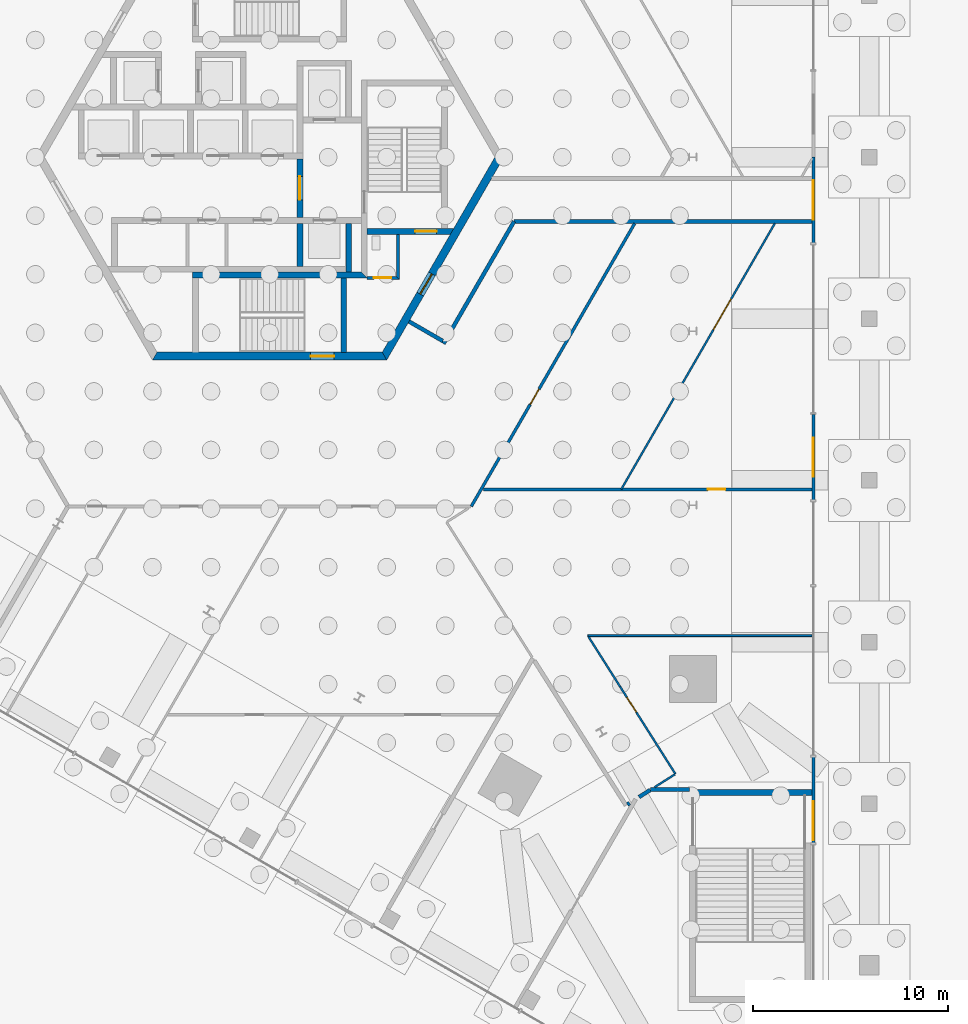
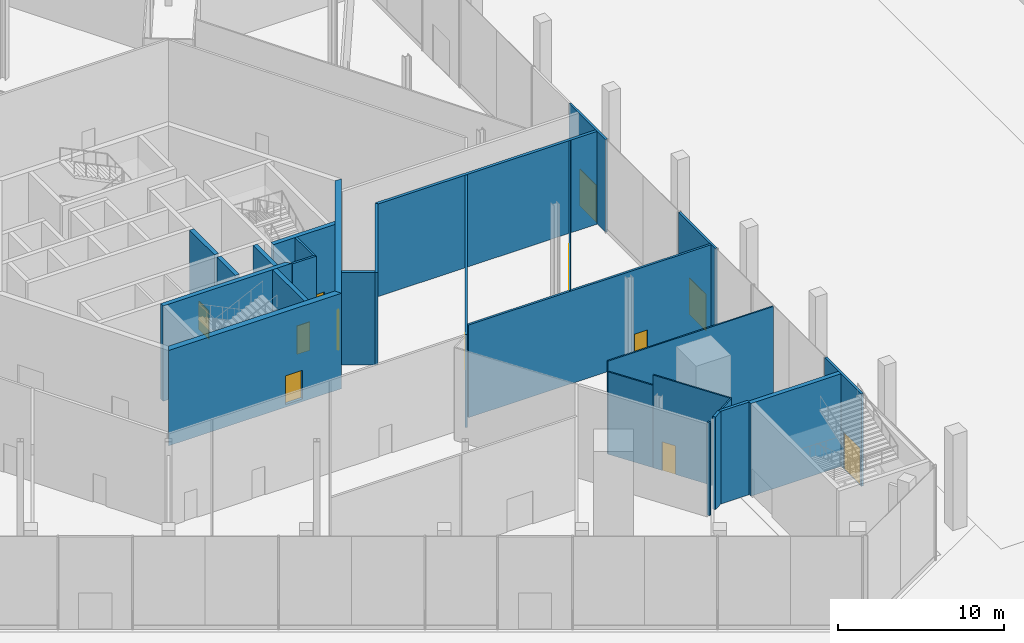
# One storey, part 19 of 27: 27 walls, 12 doors, 12 openings.
"""IFC4 building model written with IfcOpenShell, lengths in metres."""

from ifc_helpers import new_model, si_unit, direction, frame, frame_2d, origin, place, context, subcontext, project, spatial, polyline, rectangle, outline, extrude, source, transform, mapped, material, layer, layer_set, type_object, element, fill, save


model = new_model("IFC4")

# Units and contexts
model_context = context("Model", 3, precision=1e-05, world=origin(), true_north=direction((0.0, 1.0)))
body_context = subcontext(model_context, "Body", "Model", "MODEL_VIEW")
ifc_project = project(units=[si_unit("LENGTHUNIT", "METRE"), si_unit("AREAUNIT", "SQUARE_METRE"), si_unit("VOLUMEUNIT", "CUBIC_METRE"), si_unit("PLANEANGLEUNIT", "RADIAN"), si_unit("MASSUNIT", "GRAM", prefix="KILO")], contexts=[model_context])

# Site, building, storey
site_placement = place(None, origin())
site = spatial("IfcSite", under=ifc_project, at=site_placement, CompositionType="ELEMENT")
building_placement = place(site_placement, origin())
building = spatial("IfcBuilding", under=site, at=building_placement, Name="Triune Harvest Tower", CompositionType="ELEMENT")
storey_placement = place(building_placement, origin())
storey = spatial("IfcBuildingStorey", under=building, at=storey_placement, Name="L00", CompositionType="ELEMENT", Elevation=0.0)

# Wall, opening, door
ifc_material_1 = material(Name="Concrete masonry unit", Category="masonry")
ifc_layer_1 = layer(ifc_material_1, 0.14990234375)
ifc_layer_set_1 = layer_set([ifc_layer_1], Name="Concrete masonry unit")
wall_type_1 = type_object("IfcWallType", Name="Block partition 150 unrated", PredefinedType="PARTITIONING", material=ifc_layer_set_1)
wall_1_placement = place(storey_placement, frame((5.0, -6.18994140625, 0.0), z_axis=(0.0, 0.0, 1.0), x_axis=(1.0, 0.0, 0.0)))
wall_1 = element("IfcWall", 1, at=wall_1_placement, inside=storey, type_object=wall_type_1, Name="Wc acc south wall", PredefinedType="PARTITIONING", context=body_context, shape_type="SweptSolid", body=[
    extrude(outline(polyline([(0.0, -0.074951171875), (1.64990234375, -0.074951171875), (1.5, 0.074951171875), (0.0, 0.074951171875), (0.0, -0.074951171875)])), origin(), (0.0, 0.0, 1.0), 6.800048828125),
])
opening_1_placement = place(wall_1_placement, frame((0.33740234375, 0.0, 0.0)))
opening_1 = element("IfcOpeningElement", 2, at=opening_1_placement, cuts=wall_1, Name="Opening CD-WA", PredefinedType="OPENING", context=body_context, shape_type="SweptSolid", body=[
    extrude(rectangle(XDim=0.89990234375, YDim=2.10009765625, at=frame_2d((0.449951171875, 1.050048828125))), frame((0.0, 0.0849609375, 0.0), z_axis=(0.0, -1.0, 0.0), x_axis=(1.0, 0.0, 0.0)), (0.0, 0.0, 1.0), 0.169921875),
])
ifc_material_2 = material(Name="Timber C24", Category="wood")
door_type_1 = type_object("IfcDoorType", Name="WC door 900", OperationType="SINGLE_SWING_LEFT", PredefinedType="DOOR", material=ifc_material_2)
door_1_placement = place(opening_1_placement, origin())
door_1 = element("IfcDoor", 3, at=door_1_placement, inside=storey, type_object=door_type_1, Name="Door CD-WA", OperationType="SINGLE_SWING_LEFT", OverallHeight=2.10009765625, OverallWidth=0.89990234375, PredefinedType="DOOR", context=body_context, shape_type="SweptSolid", body=[
    extrude(rectangle(XDim=0.89990234375, YDim=2.10009765625, at=frame_2d((0.449951171875, 1.050048828125))), frame((0.0, 0.02490234375, 0.0), z_axis=(0.0, -1.0, 0.0), x_axis=(1.0, 0.0, 0.0)), (0.0, 0.0, 1.0), 0.050048828125),
])
fill(opening_1, door_1)

# Wall
wall_2_placement = place(storey_placement, frame((6.574951171875, -6.18994140625, 0.0), z_axis=(0.0, 0.0, 1.0), x_axis=(0.0, 1.0, 0.0)))
element("IfcWall", 4, at=wall_2_placement, inside=storey, type_object=wall_type_1, Name="Wc acc east wall", PredefinedType="PARTITIONING", context=body_context, shape_type="SweptSolid", body=[
    extrude(outline(polyline([(-0.074951171875, -0.074951171875), (2.239990234375, -0.074951171875), (2.239990234375, 0.074951171875), (0.074951171875, 0.074951171875), (-0.074951171875, -0.074951171875)])), origin(), (0.0, 0.0, 1.0), 6.800048828125),
])

# Wall, opening, door
ifc_material_3 = material(Name="Concrete 70 MPa", Category="concrete")
ifc_layer_2 = layer(ifc_material_3, 0.300048828125)
ifc_layer_set_2 = layer_set([ifc_layer_2], Name="Concrete 70 MPa")
wall_type_2 = type_object("IfcWallType", Name="Core wall 300", PredefinedType="SHEAR", material=ifc_layer_set_2)
wall_3_placement = place(storey_placement, frame((5.0, -3.800048828125, -0.199951171875), z_axis=(0.0, 0.0, 1.0), x_axis=(1.0, 0.0, 0.0)))
wall_3 = element("IfcWall", 5, at=wall_3_placement, inside=storey, type_object=wall_type_2, Name="Stair e south wall", PredefinedType="SHEAR", context=body_context, shape_type="SweptSolid", body=[
    extrude(outline(polyline([(0.0, -0.14990234375), (0.0, 0.14990234375), (4.43310546875, 0.14990234375), (4.260009765625, -0.14990234375), (0.0, -0.14990234375)])), origin(), (0.0, 0.0, 1.0), 7.0),
])
opening_2_placement = place(wall_3_placement, frame((2.449951171875, 0.0, 0.199951171875)))
opening_2 = element("IfcOpeningElement", 6, at=opening_2_placement, cuts=wall_3, Name="Opening CD-S3D", PredefinedType="OPENING", context=body_context, shape_type="SweptSolid", body=[
    extrude(rectangle(XDim=1.10009765625, YDim=2.10009765625, at=frame_2d((0.550048828125, 1.050048828125))), frame((0.0, 0.16015625, 0.0), z_axis=(0.0, -1.0, 0.0), x_axis=(1.0, 0.0, 0.0)), (0.0, 0.0, 1.0), 0.320068359375),
])
ifc_material_4 = material(Name="Steel S235", Category="steel")
door_type_2 = type_object("IfcDoorType", Name="Stair door 1100 FD120", OperationType="SINGLE_SWING_LEFT", PredefinedType="DOOR", material=ifc_material_4)
door_2_placement = place(opening_2_placement, frame((1.10009765625, 0.0, 0.0), z_axis=(0.0, 0.0, 1.0), x_axis=(-1.0, 0.0, 0.0)))
door_2 = element("IfcDoor", 7, at=door_2_placement, inside=storey, type_object=door_type_2, Name="Door CD-S3D", OperationType="SINGLE_SWING_RIGHT", OverallHeight=2.10009765625, OverallWidth=1.10009765625, PredefinedType="DOOR", context=body_context, shape_type="SweptSolid", body=[
    extrude(rectangle(XDim=1.10009765625, YDim=2.10009765625, at=frame_2d((0.550048828125, 1.050048828125))), frame((0.0, 0.02490234375, 0.0), z_axis=(0.0, -1.0, 0.0), x_axis=(1.0, 0.0, 0.0)), (0.0, 0.0, 1.0), 0.050048828125),
])
fill(opening_2, door_2)

# Wall
wall_4_placement = place(storey_placement, frame((-3.949951171875, -6.0400390625, -0.199951171875), z_axis=(0.0, 0.0, 1.0), x_axis=(1.0, 0.0, 0.0)))
element("IfcWall", 8, at=wall_4_placement, inside=storey, type_object=wall_type_2, Name="Stair s north wall", PredefinedType="SHEAR", context=body_context, shape_type="SweptSolid", body=[
    extrude(outline(polyline([(0.0, -0.14990234375), (8.949951171875, -0.14990234375), (8.64990234375, 0.14990234375), (0.0, 0.14990234375), (0.0, -0.14990234375)])), origin(), (0.0, 0.0, 1.0), 7.0),
])

# Wall, opening, door
ifc_material_5 = material(Name="Gypsum board on steel studs", Category="steel")
ifc_layer_3 = layer(ifc_material_5, 0.14990234375)
ifc_layer_set_3 = layer_set([ifc_layer_3], Name="Gypsum board on steel studs")
wall_type_3 = type_object("IfcWallType", Name="Fire Partition 150 mm", PredefinedType="PARTITIONING", material=ifc_layer_set_3)
wall_5_placement = place(storey_placement, frame((10.94482421875, -17.01806640625, 0.0), z_axis=(0.0, 0.0, 1.0), x_axis=(1.0, 0.0, 0.0)))
wall_5 = element("IfcWall", 9, at=wall_5_placement, inside=storey, type_object=wall_type_3, Name="Partition L00 029", PredefinedType="PARTITIONING", context=body_context, shape_type="SweptSolid", body=[
    extrude(rectangle(XDim=16.83447265625, YDim=0.14990234375, at=frame_2d((8.417236328125, 0.0))), origin(), (0.0, 0.0, 1.0), 6.800048828125),
])
opening_3_placement = place(wall_5_placement, frame((11.506103515625, 0.0, 0.0)))
opening_3 = element("IfcOpeningElement", 10, at=opening_3_placement, cuts=wall_5, Name="Opening L00-004", PredefinedType="OPENING", context=body_context, shape_type="SweptSolid", body=[
    extrude(rectangle(XDim=0.89990234375, YDim=2.10009765625, at=frame_2d((0.449951171875, 1.050048828125))), frame((0.0, 0.0849609375, 0.0), z_axis=(0.0, -1.0, 0.0), x_axis=(1.0, 0.0, 0.0)), (0.0, 0.0, 1.0), 0.169921875),
])
ifc_material_6 = material(Name="Timber and steel door set", Category="steel")
door_type_3 = type_object("IfcDoorType", Name="Single leaf door FD30 left hand 900 x 2100", OperationType="SINGLE_SWING_LEFT", PredefinedType="DOOR", material=ifc_material_6)
door_3_placement = place(opening_3_placement, origin())
door_3 = element("IfcDoor", 11, at=door_3_placement, inside=storey, type_object=door_type_3, Name="Door L00-004 Dry Store Room 00.04", OperationType="SINGLE_SWING_LEFT", OverallHeight=2.10009765625, OverallWidth=0.89990234375, PredefinedType="DOOR", context=body_context, shape_type="SweptSolid", body=[
    extrude(rectangle(XDim=0.89990234375, YDim=2.10009765625, at=frame_2d((0.449951171875, 1.050048828125))), frame((0.0, 0.02490234375, 0.0), z_axis=(0.0, -1.0, 0.0), x_axis=(1.0, 0.0, 0.0)), (0.0, 0.0, 1.0), 0.050048828125),
])
fill(opening_3, door_3)

wall_6_placement = place(storey_placement, frame((10.3310546875, -17.890625, 0.0), z_axis=(0.0, 0.0, 1.0), x_axis=(0.499988868439, 0.866031830499, 0.0)))
wall_6 = element("IfcWall", 12, at=wall_6_placement, inside=storey, type_object=wall_type_3, Name="Partition L00 054", PredefinedType="PARTITIONING", context=body_context, shape_type="SweptSolid", body=[
    extrude(rectangle(XDim=16.73779296875, YDim=0.14990234375, at=frame_2d((8.368896484375, 0.0))), origin(), (0.0, 0.0, 1.0), 6.800048828125),
])
opening_4_placement = place(wall_6_placement, frame((6.04052734375, 0.0, 0.0)))
opening_4 = element("IfcOpeningElement", 13, at=opening_4_placement, cuts=wall_6, Name="Opening L00-003", PredefinedType="OPENING", context=body_context, shape_type="SweptSolid", body=[
    extrude(rectangle(XDim=0.89990234375, YDim=2.10009765625, at=frame_2d((0.449951171875, 1.050048828125))), frame((0.0, 0.0849609375, 0.0), z_axis=(0.0, -1.0, 0.0), x_axis=(1.0, 0.0, 0.0)), (0.0, 0.0, 1.0), 0.169921875),
])
ifc_material_7 = material(Name="Timber and steel door set", Category="steel")
door_type_4 = type_object("IfcDoorType", Name="Single leaf door FD30 right hand 900 x 2100", OperationType="SINGLE_SWING_RIGHT", PredefinedType="DOOR", material=ifc_material_7)
door_4_placement = place(opening_4_placement, origin())
door_4 = element("IfcDoor", 14, at=door_4_placement, inside=storey, type_object=door_type_4, Name="Door L00-003 Dry Store Room 00.03", OperationType="SINGLE_SWING_RIGHT", OverallHeight=2.10009765625, OverallWidth=0.89990234375, PredefinedType="DOOR", context=body_context, shape_type="SweptSolid", body=[
    extrude(rectangle(XDim=0.89990234375, YDim=2.10009765625, at=frame_2d((0.449951171875, 1.050048828125))), frame((0.0, 0.02490234375, 0.0), z_axis=(0.0, -1.0, 0.0), x_axis=(1.0, 0.0, 0.0)), (0.0, 0.0, 1.0), 0.050048828125),
])
fill(opening_4, door_4)

# Walls
ifc_material_8 = material(Name="Gypsum board on steel studs", Category="steel")
ifc_layer_4 = layer(ifc_material_8, 0.199951171875)
ifc_layer_set_4 = layer_set([ifc_layer_4], Name="Gypsum board on steel studs")
wall_type_4 = type_object("IfcWallType", Name="Fire Wall 200 mm", PredefinedType="PARTITIONING", material=ifc_layer_set_4)
wall_7_placement = place(storey_placement, frame((18.32080078125, -33.159912109375, 0.0), z_axis=(0.0, 0.0, 1.0), x_axis=(0.844314084278, 0.535848604636, 0.0)))
element("IfcWall", 15, at=wall_7_placement, inside=storey, type_object=wall_type_4, Name="Partition L00 042", PredefinedType="PARTITIONING", context=body_context, shape_type="SweptSolid", body=[
    extrude(rectangle(XDim=0.138427734375, YDim=0.199951171875, at=frame_2d((0.0693359375, 0.0))), origin(), (0.0, 0.0, 1.0), 6.800048828125),
])
wall_8_placement = place(storey_placement, frame((18.92333984375, -32.77783203125, 0.0), z_axis=(0.0, 0.0, 1.0), x_axis=(0.844835415955, 0.53502627968, 0.0)))
element("IfcWall", 16, at=wall_8_placement, inside=storey, type_object=wall_type_4, Name="Partition L00 043", PredefinedType="PARTITIONING", context=body_context, shape_type="SweptSolid", body=[
    extrude(rectangle(XDim=0.67529296875, YDim=0.199951171875, at=frame_2d((0.337646484375, 0.0))), origin(), (0.0, 0.0, 1.0), 6.800048828125),
])
wall_9_placement = place(storey_placement, frame((8.90869140625, -9.554443359375, 0.0), z_axis=(0.0, 0.0, 1.0), x_axis=(0.499986601258, 0.866033139413, 0.0)))
element("IfcWall", 17, at=wall_9_placement, inside=storey, type_object=wall_type_4, Name="Partition L00 070", PredefinedType="PARTITIONING", context=body_context, shape_type="SweptSolid", body=[
    extrude(rectangle(XDim=7.227294921875, YDim=0.199951171875, at=frame_2d((3.61376953125, 0.0))), origin(), (0.0, 0.0, 1.0), 6.800048828125),
])
wall_10_placement = place(storey_placement, frame((12.522216796875, -3.29541015625, 0.0), z_axis=(0.0, 0.0, 1.0), x_axis=(1.0, 0.0, 0.0)))
element("IfcWall", 18, at=wall_10_placement, inside=storey, type_object=wall_type_4, Name="Partition L00 071", PredefinedType="PARTITIONING", context=body_context, shape_type="SweptSolid", body=[
    extrude(rectangle(XDim=15.2578125, YDim=0.199951171875, at=frame_2d((7.62890625, 0.0))), origin(), (0.0, 0.0, 1.0), 6.800048828125),
])
ifc_material_9 = material(Name="Gypsum board on steel studs", Category="steel")
ifc_layer_5 = layer(ifc_material_9, 0.10009765625)
ifc_layer_set_5 = layer_set([ifc_layer_5], Name="Gypsum board on steel studs")
wall_type_5 = type_object("IfcWallType", Name="Partition 100 mm", PredefinedType="PARTITIONING", material=ifc_layer_set_5)
wall_11_placement = place(storey_placement, frame((16.335205078125, -24.569091796875, 0.0), z_axis=(0.0, 0.0, 1.0), x_axis=(0.535176544108, -0.844740236189, 0.0)))
element("IfcWall", 19, at=wall_11_placement, inside=storey, type_object=wall_type_5, Name="Partition L00 020", PredefinedType="PARTITIONING", context=body_context, shape_type="SweptSolid", body=[
    extrude(rectangle(XDim=3.033203125, YDim=0.10009765625, at=frame_2d((1.5166015625, 0.0))), origin(), (0.0, 0.0, 1.0), 6.04296875),
])

# Wall, opening, door
wall_12_placement = place(storey_placement, frame((17.95849609375, -27.13134765625, 0.0), z_axis=(0.0, 0.0, 1.0), x_axis=(0.535066364246, -0.844810029446, 0.0)))
wall_12 = element("IfcWall", 20, at=wall_12_placement, inside=storey, type_object=wall_type_5, Name="Partition L00 020a", PredefinedType="PARTITIONING", context=body_context, shape_type="SweptSolid", body=[
    extrude(rectangle(XDim=5.286376953125, YDim=0.10009765625, at=frame_2d((2.64306640625, 0.0))), origin(), (0.0, 0.0, 1.0), 6.800048828125),
])
opening_5_placement = place(wall_12_placement, frame((0.636474609375, 0.0, 0.0)))
opening_5 = element("IfcOpeningElement", 21, at=opening_5_placement, cuts=wall_12, Name="Opening L00-001", PredefinedType="OPENING", context=body_context, shape_type="SweptSolid", body=[
    extrude(rectangle(XDim=0.89990234375, YDim=2.10009765625, at=frame_2d((0.449951171875, 1.050048828125))), frame((0.0, 0.06005859375, 0.0), z_axis=(0.0, -1.0, 0.0), x_axis=(1.0, 0.0, 0.0)), (0.0, 0.0, 1.0), 0.1201171875),
])
ifc_material_10 = material(Name="Timber and steel door set", Category="steel")
door_type_5 = type_object("IfcDoorType", Name="Single leaf door left hand 900 x 2100", OperationType="SINGLE_SWING_LEFT", PredefinedType="DOOR", material=ifc_material_10)
door_5_placement = place(opening_5_placement, origin())
door_5 = element("IfcDoor", 22, at=door_5_placement, inside=storey, type_object=door_type_5, Name="Door L00-001 Dry Store Room 00.01", OperationType="SINGLE_SWING_LEFT", OverallHeight=2.10009765625, OverallWidth=0.89990234375, PredefinedType="DOOR", context=body_context, shape_type="SweptSolid", body=[
    extrude(rectangle(XDim=0.89990234375, YDim=2.10009765625, at=frame_2d((0.449951171875, 1.050048828125))), frame((0.0, 0.02490234375, 0.0), z_axis=(0.0, -1.0, 0.0), x_axis=(1.0, 0.0, 0.0)), (0.0, 0.0, 1.0), 0.050048828125),
])
fill(opening_5, door_5)

# Walls
wall_13_placement = place(storey_placement, frame((16.2978515625, -24.510009765625, 0.0), z_axis=(0.0, 0.0, 1.0), x_axis=(1.0, 0.0, 0.0)))
element("IfcWall", 23, at=wall_13_placement, inside=storey, type_object=wall_type_5, Name="Partition L00 027", PredefinedType="PARTITIONING", context=body_context, shape_type="SweptSolid", body=[
    extrude(rectangle(XDim=11.4814453125, YDim=0.10009765625, at=frame_2d((5.74072265625, 0.0))), origin(), (0.0, 0.0, 1.0), 6.800048828125),
])
wall_14_placement = place(storey_placement, frame((19.71484375, -32.276611328125, 0.0), z_axis=(0.0, 0.0, 1.0), x_axis=(0.844730057631, 0.53519260994, 0.0)))
element("IfcWall", 24, at=wall_14_placement, inside=storey, type_object=wall_type_5, Name="Partition L00 044", PredefinedType="PARTITIONING", context=body_context, shape_type="SweptSolid", body=[
    extrude(rectangle(XDim=1.239990234375, YDim=0.10009765625, at=frame_2d((0.6201171875, 0.0))), origin(), (0.0, 0.0, 1.0), 6.800048828125),
])

# Wall, opening, door
wall_15_placement = place(storey_placement, frame((18.0107421875, -17.01806640625, 0.0), z_axis=(0.0, 0.0, 1.0), x_axis=(0.500016672517, 0.866015777688, 0.0)))
wall_15 = element("IfcWall", 25, at=wall_15_placement, inside=storey, type_object=wall_type_5, Name="Partition L00 053", PredefinedType="PARTITIONING", context=body_context, shape_type="SweptSolid", body=[
    extrude(rectangle(XDim=15.73046875, YDim=0.10009765625, at=frame_2d((7.865234375, 0.0))), origin(), (0.0, 0.0, 1.0), 6.800048828125),
])
opening_6_placement = place(wall_15_placement, frame((9.449951171875, 0.0, 0.0)))
opening_6 = element("IfcOpeningElement", 26, at=opening_6_placement, cuts=wall_15, Name="Opening L00-002", PredefinedType="OPENING", context=body_context, shape_type="SweptSolid", body=[
    extrude(rectangle(XDim=1.800048828125, YDim=2.39990234375, at=frame_2d((0.89990234375, 1.199951171875))), frame((0.0, 0.06005859375, 0.0), z_axis=(0.0, -1.0, 0.0), x_axis=(1.0, 0.0, 0.0)), (0.0, 0.0, 1.0), 0.1201171875),
])
ifc_material_11 = material(Name="Timber and steel door set", Category="steel")
door_type_6 = type_object("IfcDoorType", Name="Double leaf door 1800 x 2400", OperationType="DOUBLE_DOOR_SINGLE_SWING", PredefinedType="DOOR", material=ifc_material_11)
door_6_placement = place(opening_6_placement, origin())
door_6 = element("IfcDoor", 27, at=door_6_placement, inside=storey, type_object=door_type_6, Name="Door L00-002 Food Hall 00.02", OperationType="DOUBLE_DOOR_SINGLE_SWING", OverallHeight=2.39990234375, OverallWidth=1.800048828125, PredefinedType="DOOR", context=body_context, shape_type="SweptSolid", body=[
    extrude(rectangle(XDim=1.800048828125, YDim=2.39990234375, at=frame_2d((0.89990234375, 1.199951171875))), frame((0.0, 0.02490234375, 0.0), z_axis=(0.0, -1.0, 0.0), x_axis=(1.0, 0.0, 0.0)), (0.0, 0.0, 1.0), 0.050048828125),
])
fill(opening_6, door_6)

ifc_material_12 = material(Name="Concrete 70 MPa", Category="concrete")
ifc_layer_6 = layer(ifc_material_12, 0.39990234375)
ifc_layer_set_6 = layer_set([ifc_layer_6], Name="Concrete 70 MPa")
wall_type_6 = type_object("IfcWallType", Name="Core wall 400", PredefinedType="SHEAR", material=ifc_layer_set_6)
shared_shape_1 = source(origin(), body_context, "Body", "SweptSolid", [
    extrude(outline(polyline([(-0.115478515625, -0.199951171875), (11.884521484375, -0.199951171875), (11.653564453125, 0.199951171875), (0.115478515625, 0.199951171875), (-0.115478515625, -0.199951171875)])), origin(), (0.0, 0.0, 1.0), 7.0),
])
wall_16_placement = place(storey_placement, frame((-5.884521484375, -10.1923828125, -0.199951171875), z_axis=(0.0, 0.0, 1.0), x_axis=(1.0, 0.0, 0.0)))
wall_16 = element("IfcWall", 28, at=wall_16_placement, inside=storey, type_object=wall_type_6, Name="Hexagon 4 wall", PredefinedType="SHEAR", context=body_context, shape_type="MappedRepresentation", body=[
    mapped(shared_shape_1, transform((0.0, 0.0, 0.0), scale=1.0)),
])
opening_7_placement = place(wall_16_placement, frame((7.984619140625, 0.0, 0.199951171875)))
opening_7 = element("IfcOpeningElement", 29, at=opening_7_placement, cuts=wall_16, Name="Opening CD-S2P", PredefinedType="OPENING", context=body_context, shape_type="SweptSolid", body=[
    extrude(rectangle(XDim=1.199951171875, YDim=2.10009765625, at=frame_2d((0.60009765625, 1.050048828125))), frame((0.0, 0.2099609375, 0.0), z_axis=(0.0, -1.0, 0.0), x_axis=(1.0, 0.0, 0.0)), (0.0, 0.0, 1.0), 0.419921875),
])
ifc_material_13 = material(Name="Steel S235", Category="steel")
door_type_7 = type_object("IfcDoorType", Name="Stair door 1200 FD120", OperationType="SINGLE_SWING_LEFT", PredefinedType="DOOR", material=ifc_material_13)
door_7_placement = place(opening_7_placement, frame((1.199951171875, 0.0, 0.0), z_axis=(0.0, 0.0, 1.0), x_axis=(-1.0, 0.0, 0.0)))
door_7 = element("IfcDoor", 30, at=door_7_placement, inside=storey, type_object=door_type_7, Name="Door CD-S2P", OperationType="SINGLE_SWING_RIGHT", OverallHeight=2.10009765625, OverallWidth=1.199951171875, PredefinedType="DOOR", context=body_context, shape_type="SweptSolid", body=[
    extrude(rectangle(XDim=1.199951171875, YDim=2.10009765625, at=frame_2d((0.60009765625, 1.050048828125))), frame((0.0, 0.02490234375, 0.0), z_axis=(0.0, -1.0, 0.0), x_axis=(1.0, 0.0, 0.0)), (0.0, 0.0, 1.0), 0.050048828125),
])
fill(opening_7, door_7)

wall_17_placement = place(storey_placement, frame((5.884521484375, -10.1923828125, -0.199951171875), z_axis=(0.0, 0.0, 1.0), x_axis=(0.499996592174, 0.866027371285, 0.0)))
wall_17 = element("IfcWall", 31, at=wall_17_placement, inside=storey, type_object=wall_type_6, Name="Hexagon 5 wall", PredefinedType="SHEAR", context=body_context, shape_type="MappedRepresentation", body=[
    mapped(shared_shape_1, transform((0.0, 0.0, 0.0), scale=1.0)),
])
opening_8_placement = place(wall_17_placement, frame((3.66455078125, 0.0, 0.199951171875)))
opening_8 = element("IfcOpeningElement", 32, at=opening_8_placement, cuts=wall_17, Name="Opening CD-DP", PredefinedType="OPENING", context=body_context, shape_type="SweptSolid", body=[
    extrude(rectangle(XDim=1.199951171875, YDim=2.10009765625, at=frame_2d((0.60009765625, 1.050048828125))), frame((0.0, 0.2099609375, 0.0), z_axis=(0.0, -1.0, 0.0), x_axis=(1.0, 0.0, 0.0)), (0.0, 0.0, 1.0), 0.419921875),
])
door_8_placement = place(opening_8_placement, frame((1.199951171875, 0.0, 0.0), z_axis=(0.0, 0.0, 1.0), x_axis=(-1.0, 0.0, 0.0)))
door_8 = element("IfcDoor", 33, at=door_8_placement, inside=storey, type_object=door_type_7, Name="Door CD-DP", OperationType="SINGLE_SWING_RIGHT", OverallHeight=2.10009765625, OverallWidth=1.199951171875, PredefinedType="DOOR", context=body_context, shape_type="SweptSolid", body=[
    extrude(rectangle(XDim=1.199951171875, YDim=2.10009765625, at=frame_2d((0.60009765625, 1.050048828125))), frame((0.0, 0.02490234375, 0.0), z_axis=(0.0, -1.0, 0.0), x_axis=(1.0, 0.0, 0.0)), (0.0, 0.0, 1.0), 0.050048828125),
])
fill(opening_8, door_8)

# Wall
shared_shape_2 = source(origin(), body_context, "Body", "SweptSolid", [
    extrude(rectangle(XDim=2.5, YDim=0.300048828125, at=frame_2d((1.25, 0.0))), origin(), (0.0, 0.0, 1.0), 7.0),
])
wall_18_placement = place(storey_placement, frame((4.050048828125, -5.889892578125, -0.199951171875), z_axis=(0.0, 0.0, 1.0), x_axis=(0.0, 1.0, 0.0)))
element("IfcWall", 34, at=wall_18_placement, inside=storey, type_object=wall_type_2, Name="Ff2 east wall", PredefinedType="SHEAR", context=body_context, shape_type="MappedRepresentation", body=[
    mapped(shared_shape_2, transform((0.0, 0.0, 0.0), scale=1.0)),
])

# Wall, opening, door
shared_shape_3 = source(origin(), body_context, "Body", "SweptSolid", [
    extrude(rectangle(XDim=3.0, YDim=0.300048828125, at=frame_2d((1.5, 0.0))), origin(), (0.0, 0.0, 1.0), 7.0),
])
wall_19_placement = place(storey_placement, frame((1.550048828125, -3.090087890625, -0.199951171875), z_axis=(0.0, 0.0, 1.0), x_axis=(0.0, 1.0, 0.0)))
wall_19 = element("IfcWall", 35, at=wall_19_placement, inside=storey, type_object=wall_type_2, Name="Ff lobby west wall", PredefinedType="SHEAR", context=body_context, shape_type="MappedRepresentation", body=[
    mapped(shared_shape_3, transform((0.0, 0.0, 0.0), scale=1.0)),
])
opening_9_placement = place(wall_19_placement, frame((0.89990234375, 0.0, 0.199951171875)))
opening_9 = element("IfcOpeningElement", 36, at=opening_9_placement, cuts=wall_19, Name="Opening CD-FL", PredefinedType="OPENING", context=body_context, shape_type="SweptSolid", body=[
    extrude(rectangle(XDim=1.199951171875, YDim=2.10009765625, at=frame_2d((0.60009765625, 1.050048828125))), frame((0.0, 0.16015625, 0.0), z_axis=(0.0, -1.0, 0.0), x_axis=(1.0, 0.0, 0.0)), (0.0, 0.0, 1.0), 0.320068359375),
])
ifc_material_14 = material(Name="Steel S235", Category="steel")
door_type_8 = type_object("IfcDoorType", Name="Firefighters' lobby door 1200 FD120", OperationType="SINGLE_SWING_LEFT", PredefinedType="DOOR", material=ifc_material_14)
door_9_placement = place(opening_9_placement, frame((1.199951171875, 0.0, 0.0), z_axis=(0.0, 0.0, 1.0), x_axis=(-1.0, 0.0, 0.0)))
door_9 = element("IfcDoor", 37, at=door_9_placement, inside=storey, type_object=door_type_8, Name="Door CD-FL", OperationType="SINGLE_SWING_RIGHT", OverallHeight=2.10009765625, OverallWidth=1.199951171875, PredefinedType="DOOR", context=body_context, shape_type="SweptSolid", body=[
    extrude(rectangle(XDim=1.199951171875, YDim=2.10009765625, at=frame_2d((0.60009765625, 1.050048828125))), frame((0.0, 0.02490234375, 0.0), z_axis=(0.0, -1.0, 0.0), x_axis=(1.0, 0.0, 0.0)), (0.0, 0.0, 1.0), 0.050048828125),
])
fill(opening_9, door_9)

# Walls
shared_shape_4 = source(origin(), body_context, "Body", "SweptSolid", [
    extrude(rectangle(XDim=2.2001953125, YDim=0.300048828125, at=frame_2d((1.10009765625, 0.0))), origin(), (0.0, 0.0, 1.0), 7.0),
])
wall_20_placement = place(storey_placement, frame((1.550048828125, -5.590087890625, -0.199951171875), z_axis=(0.0, 0.0, 1.0), x_axis=(0.0, 1.0, 0.0)))
element("IfcWall", 38, at=wall_20_placement, inside=storey, type_object=wall_type_2, Name="Ff2 west wall", PredefinedType="SHEAR", context=body_context, shape_type="MappedRepresentation", body=[
    mapped(shared_shape_4, transform((0.0, 0.0, 0.0), scale=1.0)),
])
shared_shape_5 = source(origin(), body_context, "Body", "SweptSolid", [
    extrude(outline(polyline([(3.800048828125, -0.14990234375), (-0.00439453125, -0.14990234375), (-0.00439453125, 0.14990234375), (3.800048828125, 0.14990234375), (3.800048828125, -0.14990234375)])), origin(), (0.0, 0.0, 1.0), 7.0),
])
wall_21_placement = place(storey_placement, frame((3.800048828125, -9.989990234375, -0.199951171875), z_axis=(0.0, 0.0, 1.0), x_axis=(0.0, 1.0, 0.0)))
element("IfcWall", 39, at=wall_21_placement, inside=storey, type_object=wall_type_2, Name="Stair s east wall", PredefinedType="SHEAR", context=body_context, shape_type="MappedRepresentation", body=[
    mapped(shared_shape_5, transform((0.0, 0.0, 0.0), scale=1.0)),
])
shared_shape_6 = source(origin(), body_context, "Body", "SweptSolid", [
    extrude(rectangle(XDim=6.260009765625, YDim=0.300048828125, at=frame_2d((3.1298828125, 0.0))), origin(), (0.0, 0.0, 1.0), 6.800048828125),
])
wall_22_placement = place(storey_placement, frame((21.52001953125, -32.550048828125, 0.0), z_axis=(0.0, 0.0, 1.0), x_axis=(1.0, 0.0, 0.0)))
element("IfcWall", 40, at=wall_22_placement, inside=storey, type_object=wall_type_2, Name="Podium stair ps 2 north wall", PredefinedType="SHEAR", context=body_context, shape_type="MappedRepresentation", body=[
    mapped(shared_shape_6, transform((0.0, 0.0, 0.0), scale=1.0)),
])

# Wall, opening, door
ifc_material_15 = material(Name="Aluminium bronze anodised", Category="aluminium")
ifc_layer_7 = layer(ifc_material_15, 0.14990234375)
ifc_layer_set_7 = layer_set([ifc_layer_7], Name="Aluminium bronze anodised")
wall_type_7 = type_object("IfcWallType", Name="WW-1 entrance wall", PredefinedType="ELEMENTEDWALL", material=ifc_layer_set_7)
shared_shape_7 = source(origin(), body_context, "Body", "SweptSolid", [
    extrude(rectangle(XDim=4.390625, YDim=0.14990234375, at=frame_2d((2.1953125, 0.0))), origin(), (0.0, 0.0, 1.0), 6.800048828125),
])
wall_23_placement = place(storey_placement, frame((27.854248046875, -30.733642578125, 0.0), z_axis=(0.0, 0.0, 1.0), x_axis=(0.0, -1.0, 0.0)))
wall_23 = element("IfcWall", 41, at=wall_23_placement, inside=storey, type_object=wall_type_7, Name="WW-1 PD-F1 L00.3", PredefinedType="ELEMENTEDWALL", context=body_context, shape_type="MappedRepresentation", body=[
    mapped(shared_shape_7, transform((0.0, 0.0, 0.0), scale=1.0)),
])
opening_10_placement = place(wall_23_placement, frame((2.266357421875, 0.0, 0.0)))
opening_10 = element("IfcOpeningElement", 42, at=opening_10_placement, cuts=wall_23, Name="Opening L00-E01", PredefinedType="OPENING", context=body_context, shape_type="SweptSolid", body=[
    extrude(rectangle(XDim=2.0, YDim=2.699951171875, at=frame_2d((1.0, 1.35009765625))), frame((0.0, 0.0849609375, 0.0), z_axis=(0.0, -1.0, 0.0), x_axis=(1.0, 0.0, 0.0)), (0.0, 0.0, 1.0), 0.169921875),
])
ifc_material_16 = material(Name="Glass", Category="glass")
door_type_9 = type_object("IfcDoorType", Name="DE-1 glazed entrance door 2000 x 2700", OperationType="DOUBLE_DOOR_SINGLE_SWING", PredefinedType="DOOR", material=ifc_material_16)
door_10_placement = place(opening_10_placement, origin())
door_10 = element("IfcDoor", 43, at=door_10_placement, inside=storey, type_object=door_type_9, Name="Door L00-E01", OperationType="DOUBLE_DOOR_SINGLE_SWING", OverallHeight=2.699951171875, OverallWidth=2.0, PredefinedType="DOOR", context=body_context, shape_type="SweptSolid", body=[
    extrude(rectangle(XDim=2.0, YDim=2.699951171875, at=frame_2d((1.0, 1.35009765625))), frame((0.0, 0.02490234375, 0.0), z_axis=(0.0, -1.0, 0.0), x_axis=(1.0, 0.0, 0.0)), (0.0, 0.0, 1.0), 0.050048828125),
])
fill(opening_10, door_10)

wall_24_placement = place(storey_placement, frame((27.854248046875, 0.0, 0.0), z_axis=(0.0, 0.0, 1.0), x_axis=(0.0, -1.0, 0.0)))
wall_24 = element("IfcWall", 44, at=wall_24_placement, inside=storey, type_object=wall_type_7, Name="WW-1 PD-F1 L00.10", PredefinedType="ELEMENTEDWALL", context=body_context, shape_type="MappedRepresentation", body=[
    mapped(shared_shape_7, transform((0.0, 0.0, 0.0), scale=1.0)),
])
opening_11_placement = place(wall_24_placement, frame((1.1953125, 0.0, 0.0)))
opening_11 = element("IfcOpeningElement", 45, at=opening_11_placement, cuts=wall_24, Name="Opening L00-E12", PredefinedType="OPENING", context=body_context, shape_type="SweptSolid", body=[
    extrude(rectangle(XDim=2.0, YDim=2.699951171875, at=frame_2d((1.0, 1.35009765625))), frame((0.0, 0.0849609375, 0.0), z_axis=(0.0, -1.0, 0.0), x_axis=(1.0, 0.0, 0.0)), (0.0, 0.0, 1.0), 0.169921875),
])
door_11_placement = place(opening_11_placement, origin())
door_11 = element("IfcDoor", 46, at=door_11_placement, inside=storey, type_object=door_type_9, Name="Door L00-E12", OperationType="DOUBLE_DOOR_SINGLE_SWING", OverallHeight=2.699951171875, OverallWidth=2.0, PredefinedType="DOOR", context=body_context, shape_type="SweptSolid", body=[
    extrude(rectangle(XDim=2.0, YDim=2.699951171875, at=frame_2d((1.0, 1.35009765625))), frame((0.0, 0.02490234375, 0.0), z_axis=(0.0, -1.0, 0.0), x_axis=(1.0, 0.0, 0.0)), (0.0, 0.0, 1.0), 0.050048828125),
])
fill(opening_11, door_11)

shared_shape_8 = source(origin(), body_context, "Body", "SweptSolid", [
    extrude(rectangle(XDim=4.390380859375, YDim=0.14990234375, at=frame_2d((2.1953125, 0.0))), origin(), (0.0, 0.0, 1.0), 6.800048828125),
])
wall_25_placement = place(storey_placement, frame((27.854248046875, -13.171630859375, 0.0), z_axis=(0.0, 0.0, 1.0), x_axis=(0.0, -1.0, 0.0)))
wall_25 = element("IfcWall", 47, at=wall_25_placement, inside=storey, type_object=wall_type_7, Name="WW-1 PD-F1 L00.7", PredefinedType="ELEMENTEDWALL", context=body_context, shape_type="MappedRepresentation", body=[
    mapped(shared_shape_8, transform((0.0, 0.0, 0.0), scale=1.0)),
])
opening_12_placement = place(wall_25_placement, frame((1.1953125, 0.0, 0.0)))
opening_12 = element("IfcOpeningElement", 48, at=opening_12_placement, cuts=wall_25, Name="Opening L00-E02", PredefinedType="OPENING", context=body_context, shape_type="SweptSolid", body=[
    extrude(rectangle(XDim=2.0, YDim=2.699951171875, at=frame_2d((1.0, 1.35009765625))), frame((0.0, 0.0849609375, 0.0), z_axis=(0.0, -1.0, 0.0), x_axis=(1.0, 0.0, 0.0)), (0.0, 0.0, 1.0), 0.169921875),
])
door_12_placement = place(opening_12_placement, origin())
door_12 = element("IfcDoor", 49, at=door_12_placement, inside=storey, type_object=door_type_9, Name="Door L00-E02", OperationType="DOUBLE_DOOR_SINGLE_SWING", OverallHeight=2.699951171875, OverallWidth=2.0, PredefinedType="DOOR", context=body_context, shape_type="SweptSolid", body=[
    extrude(rectangle(XDim=2.0, YDim=2.699951171875, at=frame_2d((1.0, 1.35009765625))), frame((0.0, 0.02490234375, 0.0), z_axis=(0.0, -1.0, 0.0), x_axis=(1.0, 0.0, 0.0)), (0.0, 0.0, 1.0), 0.050048828125),
])
fill(opening_12, door_12)

# Walls
shared_shape_9 = source(origin(), body_context, "Body", "SweptSolid", [
    extrude(rectangle(XDim=2.0, YDim=0.199951171875, at=frame_2d((1.0, 0.0))), origin(), (0.0, 0.0, 1.0), 6.800048828125),
])
for number, where, z_axis, x_axis, name in (
    (50, (19.52001953125, -32.39990234375, 0.0), (0.0, 0.0, 1.0), (1.0, 0.0, 0.0), "Partition L00 025"),
    (51, (7.139892578125, -8.417724609375, 0.0), (0.0, 0.0, 1.0), (0.866041268327, -0.499972520799, 0.0), "Partition L00 069"),
):
    element("IfcWall", number, at=place(storey_placement, frame(where, z_axis=z_axis, x_axis=x_axis)), inside=storey, type_object=wall_type_4, Name=name, PredefinedType="PARTITIONING", context=body_context, shape_type="MappedRepresentation", body=[
        mapped(shared_shape_9, transform((0.0, 0.0, 0.0), scale=1.0)),
    ])

save(model, "model.ifc")
